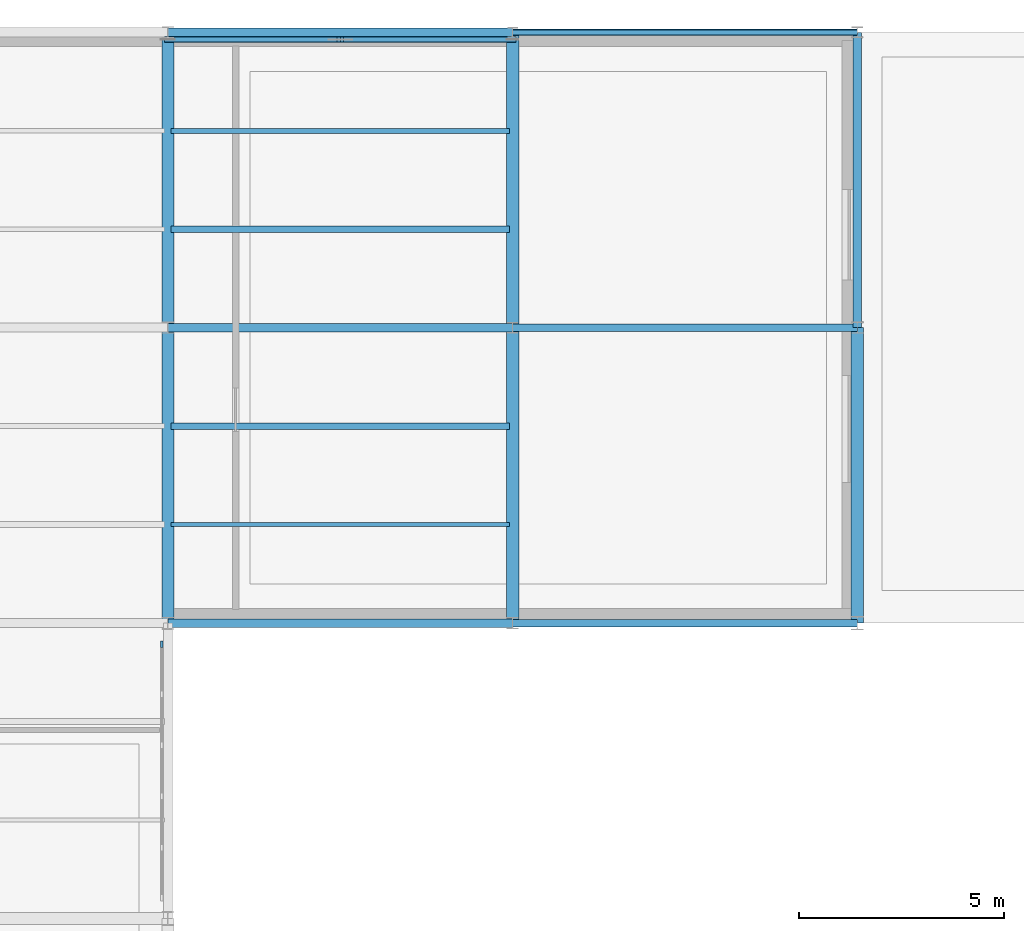
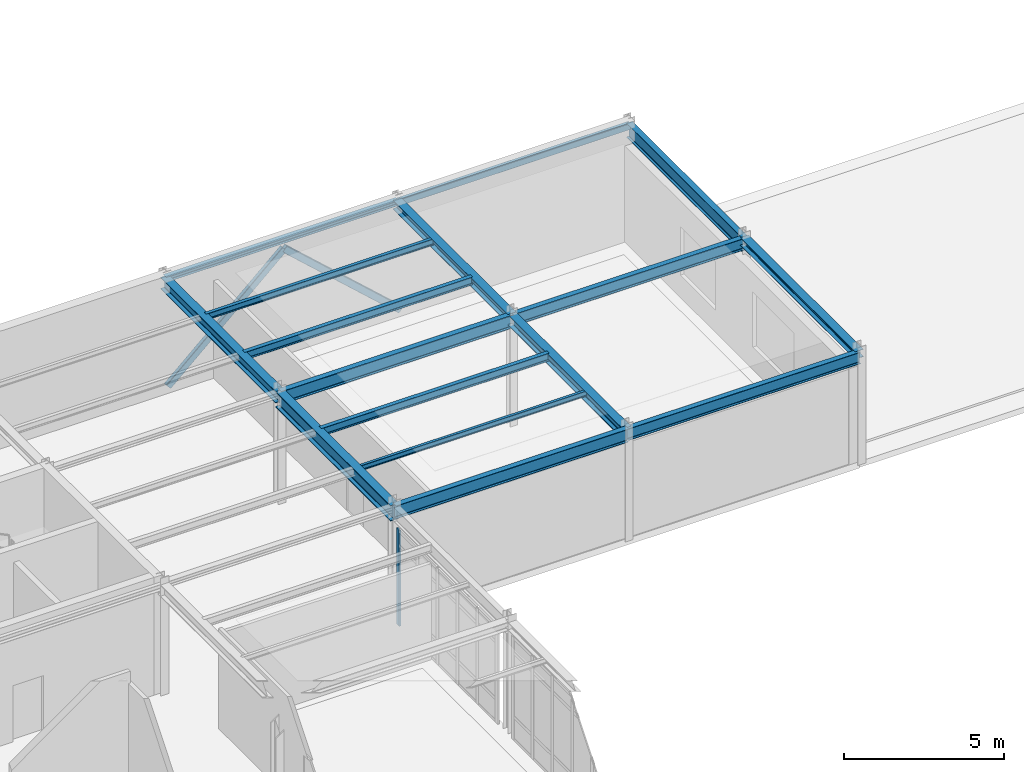
# One storey, part 51 of 106: 16 beams, 3 members, 1 element without a shape of its own.
"""IFC4 building model written with IfcOpenShell, lengths in metres."""

from ifc_helpers import new_model, si_unit, derived_unit, direction, frame, origin, origin_2d, place, context, subcontext, project, spatial, rectangle, hollow_rectangle, i_section, extrude, material, layer, layer_set, material_profile, profile_set, type_object, element, aggregate, save


model = new_model("IFC4")

# Units and contexts
model_context = context("Model", 3, precision=1e-05, world=origin(), true_north=direction((0.0, 1.0)))
body_context = subcontext(model_context, "Body", "Model", "MODEL_VIEW")
ifc_project = project(units=[si_unit("LENGTHUNIT", "METRE"), si_unit("AREAUNIT", "SQUARE_METRE"), si_unit("VOLUMEUNIT", "CUBIC_METRE"), si_unit("PLANEANGLEUNIT", "RADIAN"), si_unit("MASSUNIT", "GRAM", prefix="KILO"), derived_unit("THERMALTRANSMITTANCEUNIT", [(si_unit("POWERUNIT", "WATT"), 1), (si_unit("AREAUNIT", "SQUARE_METRE"), -1), (si_unit("THERMODYNAMICTEMPERATUREUNIT", "KELVIN"), -1)])], contexts=[model_context])

# Site, building, storey
site_placement = place(None, origin())
site = spatial("IfcSite", under=ifc_project, at=site_placement, CompositionType="ELEMENT")
building_placement = place(site_placement, origin())
building = spatial("IfcBuilding", under=site, at=building_placement, Name="Yasenodar Specialist Clinic", CompositionType="ELEMENT")
storey_placement = place(building_placement, frame((0.0, 0.0, 4.5)))
storey = spatial("IfcBuildingStorey", under=building, at=storey_placement, Name="L01", CompositionType="ELEMENT", Elevation=4.5)

# Beams
ifc_material_1 = material(Name="Steel S355", Category="steel")
ifc_material_profile_1 = material_profile(ifc_material_1, i_section(OverallWidth=0.300048828125, OverallDepth=0.2900390625, WebThickness=0.008544921875, FlangeThickness=0.013916015625, FilletRadius=0.027099609375, at=origin_2d()), Name="HEA 300")
ifc_profile_set_1 = profile_set([ifc_material_profile_1], Name="Steel S355")
beam_type_1 = type_object("IfcBeamType", Name="BM-HEA300", PredefinedType="BEAM", material=ifc_profile_set_1)
beam_1_placement = place(storey_placement, frame((33.60009765625, 97.199951171875, 4.10498046875), z_axis=(0.0, 1.0, 0.0), x_axis=(-1.0, 0.0, 0.0)))
element("IfcBeam", 1, at=beam_1_placement, inside=storey, type_object=beam_type_1, Name="L01 Primary N-S Girder", PredefinedType="BEAM", context=body_context, shape_type="SweptSolid", body=[
    extrude(i_section(OverallWidth=0.300048828125, OverallDepth=0.2900390625, WebThickness=0.008544921875, FlangeThickness=0.013916015625, FilletRadius=0.027099609375, at=origin_2d()), origin(), (0.0, 0.0, 1.0), 7.199951171875),
])
ifc_material_profile_2 = material_profile(ifc_material_1, i_section(OverallWidth=0.300048828125, OverallDepth=0.340087890625, WebThickness=0.011962890625, FlangeThickness=0.021484375, FilletRadius=0.027099609375, at=origin_2d()), Name="HEB 340")
ifc_profile_set_2 = profile_set([ifc_material_profile_2], Name="Steel S355")
beam_type_2 = type_object("IfcBeamType", Name="BM-HEB340", PredefinedType="BEAM", material=ifc_profile_set_2)
beam_2_placement = place(storey_placement, frame((25.199951171875, 104.39990234375, 4.080078125), z_axis=(0.0, 1.0, 0.0), x_axis=(-1.0, 0.0, 0.0)))
element("IfcBeam", 2, at=beam_2_placement, inside=storey, type_object=beam_type_2, Name="L01 Primary N-S Girder", PredefinedType="BEAM", context=body_context, shape_type="SweptSolid", body=[
    extrude(i_section(OverallWidth=0.300048828125, OverallDepth=0.340087890625, WebThickness=0.011962890625, FlangeThickness=0.021484375, FilletRadius=0.027099609375, at=origin_2d()), origin(), (0.0, 0.0, 1.0), 7.2001953125),
])
ifc_material_profile_3 = material_profile(ifc_material_1, i_section(OverallWidth=0.300048828125, OverallDepth=0.39990234375, WebThickness=0.013427734375, FlangeThickness=0.02392578125, FilletRadius=0.027099609375, at=origin_2d()), Name="HEB 400")
ifc_profile_set_3 = profile_set([ifc_material_profile_3], Name="Steel S355")
beam_type_3 = type_object("IfcBeamType", Name="BM-HEB400", PredefinedType="BEAM", material=ifc_profile_set_3)
beam_3_placement = place(storey_placement, frame((25.199951171875, 97.199951171875, 4.050048828125), z_axis=(0.0, 1.0, 0.0), x_axis=(-1.0, 0.0, 0.0)))
element("IfcBeam", 3, at=beam_3_placement, inside=storey, type_object=beam_type_3, Name="L01 Primary N-S Girder", PredefinedType="BEAM", context=body_context, shape_type="SweptSolid", body=[
    extrude(i_section(OverallWidth=0.300048828125, OverallDepth=0.39990234375, WebThickness=0.013427734375, FlangeThickness=0.02392578125, FilletRadius=0.027099609375, at=origin_2d()), origin(), (0.0, 0.0, 1.0), 7.199951171875),
])
ifc_material_profile_4 = material_profile(ifc_material_1, i_section(OverallWidth=0.300048828125, OverallDepth=0.449951171875, WebThickness=0.013916015625, FlangeThickness=0.02587890625, FilletRadius=0.027099609375, at=origin_2d()), Name="HEB 450")
ifc_profile_set_4 = profile_set([ifc_material_profile_4], Name="Steel S355")
beam_type_4 = type_object("IfcBeamType", Name="BM-HEB450", PredefinedType="BEAM", material=ifc_profile_set_4)
beam_4_placement = place(storey_placement, frame((16.800048828125, 104.39990234375, 4.02490234375), z_axis=(0.0, 1.0, 0.0), x_axis=(-1.0, 0.0, 0.0)))
element("IfcBeam", 4, at=beam_4_placement, inside=storey, type_object=beam_type_4, Name="L01 Primary N-S Girder", PredefinedType="BEAM", context=body_context, shape_type="SweptSolid", body=[
    extrude(i_section(OverallWidth=0.300048828125, OverallDepth=0.449951171875, WebThickness=0.013916015625, FlangeThickness=0.02587890625, FilletRadius=0.027099609375, at=origin_2d()), origin(), (0.0, 0.0, 1.0), 7.2001953125),
])
ifc_material_profile_5 = material_profile(ifc_material_1, i_section(OverallWidth=0.300048828125, OverallDepth=0.60009765625, WebThickness=0.015380859375, FlangeThickness=0.030029296875, FilletRadius=0.027099609375, at=origin_2d()), Name="HEB 600")
ifc_profile_set_5 = profile_set([ifc_material_profile_5], Name="Steel S355")
beam_type_5 = type_object("IfcBeamType", Name="BM-HEB600", PredefinedType="BEAM", material=ifc_profile_set_5)
beam_5_placement = place(storey_placement, frame((16.800048828125, 97.199951171875, 3.949951171875), z_axis=(0.0, 1.0, 0.0), x_axis=(-1.0, 0.0, 0.0)))
element("IfcBeam", 5, at=beam_5_placement, inside=storey, type_object=beam_type_5, Name="L01 Primary N-S Girder", PredefinedType="BEAM", context=body_context, shape_type="SweptSolid", body=[
    extrude(i_section(OverallWidth=0.300048828125, OverallDepth=0.60009765625, WebThickness=0.015380859375, FlangeThickness=0.030029296875, FilletRadius=0.027099609375, at=origin_2d()), origin(), (0.0, 0.0, 1.0), 7.199951171875),
])
ifc_material_profile_6 = material_profile(ifc_material_1, i_section(OverallWidth=0.18994140625, OverallDepth=0.449951171875, WebThickness=0.009521484375, FlangeThickness=0.0146484375, FilletRadius=0.02099609375, at=origin_2d()), Name="IPE 450")
ifc_profile_set_6 = profile_set([ifc_material_profile_6], Name="Steel S355")
beam_type_6 = type_object("IfcBeamType", Name="BM-IPE450", PredefinedType="BEAM", material=ifc_profile_set_6)
for number, where, z_axis, x_axis, name in (
    (6, (25.199951171875, 97.199951171875, 4.02490234375), (1.0, 0.0, 0.0), (0.0, 1.0, 0.0), "L01 Primary E-W Girder"),
    (7, (25.199951171875, 104.39990234375, 4.02490234375), (1.0, 0.0, 0.0), (0.0, 1.0, 0.0), "L01 Primary E-W Girder"),
):
    element("IfcBeam", number, at=place(storey_placement, frame(where, z_axis=z_axis, x_axis=x_axis)), inside=storey, type_object=beam_type_6, Name=name, PredefinedType="BEAM", context=body_context, shape_type="SweptSolid", body=[
        extrude(i_section(OverallWidth=0.18994140625, OverallDepth=0.449951171875, WebThickness=0.009521484375, FlangeThickness=0.0146484375, FilletRadius=0.02099609375, at=origin_2d()), origin(), (0.0, 0.0, 1.0), 8.400146484375),
    ])
ifc_material_profile_7 = material_profile(ifc_material_1, i_section(OverallWidth=0.199951171875, OverallDepth=0.5, WebThickness=0.01025390625, FlangeThickness=0.01611328125, FilletRadius=0.02099609375, at=origin_2d()), Name="IPE 500")
ifc_profile_set_7 = profile_set([ifc_material_profile_7], Name="Steel S355")
beam_type_7 = type_object("IfcBeamType", Name="BM-IPE500", PredefinedType="BEAM", material=ifc_profile_set_7)
for number, where, z_axis, x_axis, name in (
    (8, (16.800048828125, 97.199951171875, 4.0), (1.0, 0.0, 0.0), (0.0, 1.0, 0.0), "L01 Primary E-W Girder"),
    (9, (16.800048828125, 104.39990234375, 4.0), (1.0, 0.0, 0.0), (0.0, 1.0, 0.0), "L01 Primary E-W Girder"),
):
    element("IfcBeam", number, at=place(storey_placement, frame(where, z_axis=z_axis, x_axis=x_axis)), inside=storey, type_object=beam_type_7, Name=name, PredefinedType="BEAM", context=body_context, shape_type="SweptSolid", body=[
        extrude(i_section(OverallWidth=0.199951171875, OverallDepth=0.5, WebThickness=0.01025390625, FlangeThickness=0.01611328125, FilletRadius=0.02099609375, at=origin_2d()), origin(), (0.0, 0.0, 1.0), 8.39990234375),
    ])
ifc_material_profile_8 = material_profile(ifc_material_1, i_section(OverallWidth=0.2099609375, OverallDepth=0.550048828125, WebThickness=0.010986328125, FlangeThickness=0.01708984375, FilletRadius=0.02392578125, at=origin_2d()), Name="IPE 550")
ifc_profile_set_8 = profile_set([ifc_material_profile_8], Name="Steel S355")
beam_type_8 = type_object("IfcBeamType", Name="BM-IPE550", PredefinedType="BEAM", material=ifc_profile_set_8)
beam_6_placement = place(storey_placement, frame((33.60009765625, 104.39990234375, 3.97509765625), z_axis=(0.0, 1.0, 0.0), x_axis=(-1.0, 0.0, 0.0)))
element("IfcBeam", 10, at=beam_6_placement, inside=storey, type_object=beam_type_8, Name="L01 Primary N-S Girder", PredefinedType="BEAM", context=body_context, shape_type="SweptSolid", body=[
    extrude(i_section(OverallWidth=0.2099609375, OverallDepth=0.550048828125, WebThickness=0.010986328125, FlangeThickness=0.01708984375, FilletRadius=0.02392578125, at=origin_2d()), origin(), (0.0, 0.0, 1.0), 7.2001953125),
])

# Members
ifc_material_profile_9 = material_profile(ifc_material_1, hollow_rectangle(XDim=0.14990234375, YDim=0.25, WallThickness=0.010009765625, InnerFilletRadius=0.014892578125, OuterFilletRadius=0.02490234375, at=origin_2d()), Name="RHS 250x150x10")
ifc_profile_set_9 = profile_set([ifc_material_profile_9], Name="Steel S355")
member_type_1 = type_object("IfcMemberType", Name="BR-LAT-RHS250", PredefinedType="BRACE", material=ifc_profile_set_9)
for number, where, z_axis, x_axis, name in (
    (11, (16.800048828125, 111.425048828125, 0.14990234375), (0.741527609628, 0.0, 0.670922353302), (0.0, 1.0, 0.0), "L01 Lateral Chevron Brace 02A"),
    (12, (25.199951171875, 111.425048828125, 0.14990234375), (-0.741527609628, 0.0, 0.670922353302), (0.0, -1.0, 0.0), "L01 Lateral Chevron Brace 02B"),
):
    element("IfcMember", number, at=place(storey_placement, frame(where, z_axis=z_axis, x_axis=x_axis)), inside=storey, type_object=member_type_1, Name=name, PredefinedType="BRACE", context=body_context, shape_type="SweptSolid", body=[
        extrude(hollow_rectangle(XDim=0.14990234375, YDim=0.25, WallThickness=0.010009765625, InnerFilletRadius=0.014892578125, OuterFilletRadius=0.02490234375, at=origin_2d()), origin(), (0.0, 0.0, 1.0), 5.663818359375),
    ])

# Curtain wall, member
ifc_material_2 = material(Name="Bronze Anodized Aluminium and Triple Low-E Glass", Category="aluminium")
ifc_layer = layer(ifc_material_2, 0.202880859375)
ifc_layer_set = layer_set([ifc_layer], Name="Bronze Anodized Aluminium and Triple Low-E Glass")
curtain_wall_type = type_object("IfcCurtainWallType", Name="CW-SYS-04", PredefinedType="USERDEFINED", material=ifc_layer_set)
curtain_wall_placement = place(storey_placement, origin())
curtain_wall = element("IfcCurtainWall", 13, at=curtain_wall_placement, inside=storey, type_object=curtain_wall_type, Name="L01 Unitised Curtain Wall 121", ObjectType="UNITISED CURTAIN WALL", PredefinedType="USERDEFINED")
ifc_material_3 = material(Name="Bronze Anodized Aluminium", Category="aluminium")
ifc_material_profile_10 = material_profile(ifc_material_3, rectangle(XDim=0.06005859375, YDim=0.159912109375, at=origin_2d()), Name="CW-MULL 60x160")
ifc_profile_set_10 = profile_set([ifc_material_profile_10], Name="Bronze Anodized Aluminium")
member_type_2 = type_object("IfcMemberType", Name="CW-MULL-160", PredefinedType="MULLION", material=ifc_profile_set_10)
member_placement = place(storey_placement, frame((16.64990234375, 96.68994140625, 0.0), z_axis=(0.0, 0.0, 1.0), x_axis=(1.0, 0.0, 0.0)))
member = element("IfcMember", 14, at=member_placement, type_object=member_type_2, Name="CW-04 mullion 1", PredefinedType="MULLION", context=body_context, shape_type="SweptSolid", body=[
    extrude(rectangle(XDim=0.06005859375, YDim=0.159912109375, at=origin_2d()), origin(), (0.0, 0.0, 1.0), 3.677978515625),
])
aggregate(curtain_wall, [member])

# Beams
ifc_material_profile_11 = material_profile(ifc_material_1, i_section(OverallWidth=0.10009765625, OverallDepth=0.199951171875, WebThickness=0.005615234375, FlangeThickness=0.008544921875, FilletRadius=0.011962890625, at=origin_2d()), Name="IPE 200")
ifc_profile_set_11 = profile_set([ifc_material_profile_11], Name="Steel S355")
beam_type_9 = type_object("IfcBeamType", Name="JS-IPE200", PredefinedType="JOIST", material=ifc_profile_set_11)
beam_7_placement = place(storey_placement, frame((16.8798828125, 99.60009765625, 4.14990234375), z_axis=(1.0, 0.0, 0.0), x_axis=(0.0, 1.0, 0.0)))
element("IfcBeam", 15, at=beam_7_placement, inside=storey, type_object=beam_type_9, Name="L01 Composite Floor Joist", PredefinedType="JOIST", context=body_context, shape_type="SweptSolid", body=[
    extrude(i_section(OverallWidth=0.10009765625, OverallDepth=0.199951171875, WebThickness=0.005615234375, FlangeThickness=0.008544921875, FilletRadius=0.011962890625, at=origin_2d()), origin(), (0.0, 0.0, 1.0), 8.240234375),
])
ifc_material_profile_12 = material_profile(ifc_material_1, i_section(OverallWidth=0.1201171875, OverallDepth=0.239990234375, WebThickness=0.006103515625, FlangeThickness=0.009765625, FilletRadius=0.014892578125, at=origin_2d()), Name="IPE 240")
ifc_profile_set_12 = profile_set([ifc_material_profile_12], Name="Steel S355")
beam_type_10 = type_object("IfcBeamType", Name="JS-IPE240", PredefinedType="JOIST", material=ifc_profile_set_12)
beam_8_placement = place(storey_placement, frame((16.8798828125, 109.199951171875, 4.1298828125), z_axis=(1.0, 0.0, 0.0), x_axis=(0.0, 1.0, 0.0)))
element("IfcBeam", 16, at=beam_8_placement, inside=storey, type_object=beam_type_10, Name="L01 Composite Floor Joist", PredefinedType="JOIST", context=body_context, shape_type="SweptSolid", body=[
    extrude(i_section(OverallWidth=0.1201171875, OverallDepth=0.239990234375, WebThickness=0.006103515625, FlangeThickness=0.009765625, FilletRadius=0.014892578125, at=origin_2d()), origin(), (0.0, 0.0, 1.0), 8.240234375),
])
ifc_material_profile_13 = material_profile(ifc_material_1, i_section(OverallWidth=0.14990234375, OverallDepth=0.300048828125, WebThickness=0.007080078125, FlangeThickness=0.0107421875, FilletRadius=0.014892578125, at=origin_2d()), Name="IPE 300")
ifc_profile_set_13 = profile_set([ifc_material_profile_13], Name="Steel S355")
beam_type_11 = type_object("IfcBeamType", Name="JS-IPE300", PredefinedType="JOIST", material=ifc_profile_set_13)
for number, where, z_axis, x_axis, name in (
    (17, (16.8798828125, 102.0, 4.10009765625), (1.0, 0.0, 0.0), (0.0, 1.0, 0.0), "L01 Composite Floor Joist"),
    (18, (16.8798828125, 106.800048828125, 4.10009765625), (1.0, 0.0, 0.0), (0.0, 1.0, 0.0), "L01 Composite Floor Joist"),
):
    element("IfcBeam", number, at=place(storey_placement, frame(where, z_axis=z_axis, x_axis=x_axis)), inside=storey, type_object=beam_type_11, Name=name, PredefinedType="JOIST", context=body_context, shape_type="SweptSolid", body=[
        extrude(i_section(OverallWidth=0.14990234375, OverallDepth=0.300048828125, WebThickness=0.007080078125, FlangeThickness=0.0107421875, FilletRadius=0.014892578125, at=origin_2d()), origin(), (0.0, 0.0, 1.0), 8.240234375),
    ])
ifc_material_profile_14 = material_profile(ifc_material_1, i_section(OverallWidth=0.199951171875, OverallDepth=0.18994140625, WebThickness=0.006591796875, FlangeThickness=0.010009765625, FilletRadius=0.01806640625, at=origin_2d()), Name="HEA 200")
ifc_profile_set_14 = profile_set([ifc_material_profile_14], Name="Steel S355")
beam_type_12 = type_object("IfcBeamType", Name="SP-HEA200", PredefinedType="SPANDREL", material=ifc_profile_set_14)
beam_9_placement = place(storey_placement, frame((16.800048828125, 111.60009765625, 4.155029296875), z_axis=(1.0, 0.0, 0.0), x_axis=(0.0, 1.0, 0.0)))
element("IfcBeam", 19, at=beam_9_placement, inside=storey, type_object=beam_type_12, Name="L01 Perimeter Spandrel Beam", PredefinedType="SPANDREL", context=body_context, shape_type="SweptSolid", body=[
    extrude(i_section(OverallWidth=0.199951171875, OverallDepth=0.18994140625, WebThickness=0.006591796875, FlangeThickness=0.010009765625, FilletRadius=0.01806640625, at=origin_2d()), origin(), (0.0, 0.0, 1.0), 8.39990234375),
])
ifc_material_profile_15 = material_profile(ifc_material_1, hollow_rectangle(XDim=0.14990234375, YDim=0.25, WallThickness=0.010009765625, InnerFilletRadius=0.014892578125, OuterFilletRadius=0.02490234375, at=origin_2d()), Name="RHS 250x150x10")
ifc_profile_set_15 = profile_set([ifc_material_profile_15], Name="Steel S355")
beam_type_13 = type_object("IfcBeamType", Name="SP-RHS250", PredefinedType="SPANDREL", material=ifc_profile_set_15)
beam_10_placement = place(storey_placement, frame((25.199951171875, 111.60009765625, 4.125), z_axis=(1.0, 0.0, 0.0), x_axis=(0.0, 1.0, 0.0)))
element("IfcBeam", 20, at=beam_10_placement, inside=storey, type_object=beam_type_13, Name="L01 Perimeter Spandrel Beam", PredefinedType="SPANDREL", context=body_context, shape_type="SweptSolid", body=[
    extrude(hollow_rectangle(XDim=0.14990234375, YDim=0.25, WallThickness=0.010009765625, InnerFilletRadius=0.014892578125, OuterFilletRadius=0.02490234375, at=origin_2d()), origin(), (0.0, 0.0, 1.0), 8.400146484375),
])

save(model, "model.ifc")
